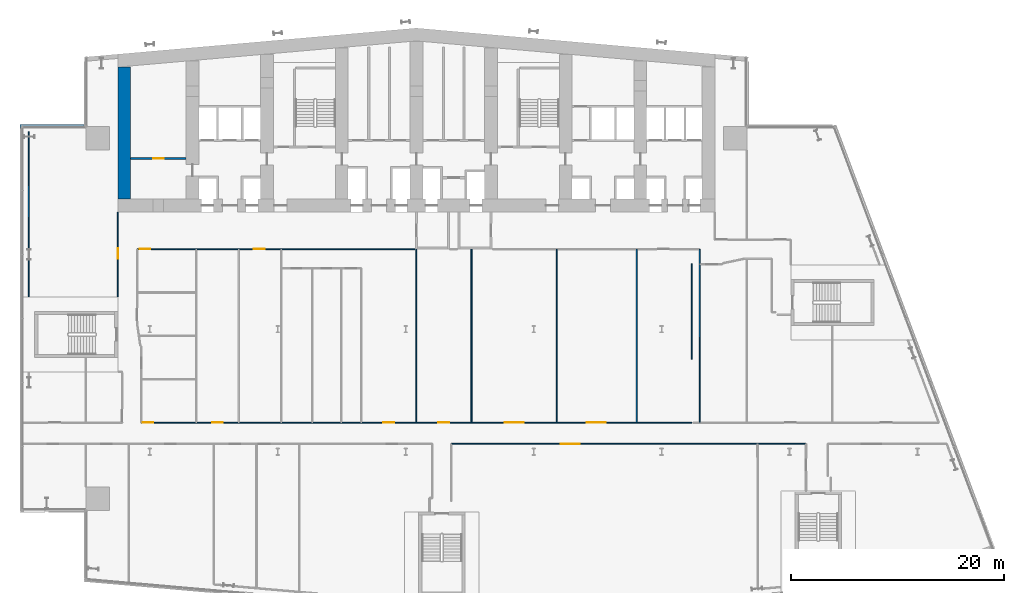
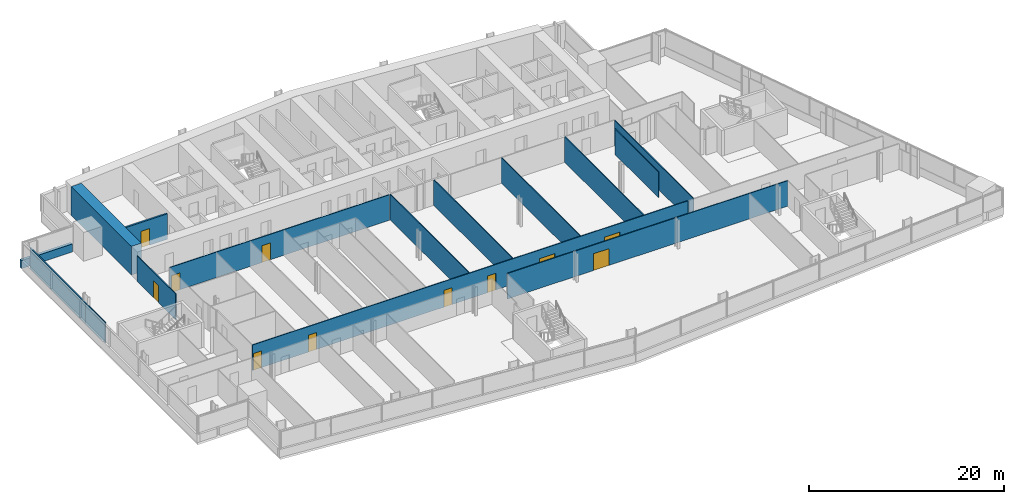
# One storey, part 14 of 24: 15 walls, 11 doors, 11 openings.
"""IFC4 building model written with IfcOpenShell, lengths in metres."""

from ifc_helpers import new_model, si_unit, direction, frame, frame_2d, origin, place, context, subcontext, project, spatial, rectangle, extrude, material, layer, layer_set, type_object, element, fill, save


model = new_model("IFC4")

# Units and contexts
model_context = context("Model", 3, precision=1e-05, world=origin(), true_north=direction((0.0, 1.0)))
body_context = subcontext(model_context, "Body", "Model", "MODEL_VIEW")
ifc_project = project(units=[si_unit("LENGTHUNIT", "METRE"), si_unit("AREAUNIT", "SQUARE_METRE"), si_unit("VOLUMEUNIT", "CUBIC_METRE"), si_unit("PLANEANGLEUNIT", "RADIAN"), si_unit("MASSUNIT", "GRAM", prefix="KILO")], contexts=[model_context])

# Site, building, storey
site_placement = place(None, origin())
site = spatial("IfcSite", under=ifc_project, at=site_placement, CompositionType="ELEMENT")
building_placement = place(site_placement, origin())
building = spatial("IfcBuilding", under=site, at=building_placement, Name="Wharfspan Tower", CompositionType="ELEMENT")
storey_placement = place(building_placement, frame((0.0, 0.0, 41.5)))
storey = spatial("IfcBuildingStorey", under=building, at=storey_placement, Name="L06", CompositionType="ELEMENT", Elevation=41.5)

# Wall, opening, door
ifc_material_1 = material(Name="Gypsum board on steel studs", Category="steel")
ifc_layer_1 = layer(ifc_material_1, 0.100098)
ifc_layer_set_1 = layer_set([ifc_layer_1], Name="Gypsum board on steel studs")
wall_type_1 = type_object("IfcWallType", Name="Compartment wall 100 EI 60", PredefinedType="PARTITIONING", material=ifc_layer_set_1)
wall_1_placement = place(storey_placement, frame((9.0, 26.02002, 0.0), z_axis=(0.0, 0.0, 1.0), x_axis=(0.0, 1.0, 0.0)))
wall_1 = element("IfcWall", 1, at=wall_1_placement, inside=storey, type_object=wall_type_1, Name="Partition L06.w008", PredefinedType="PARTITIONING", context=body_context, shape_type="SweptSolid", body=[
    extrude(rectangle(XDim=7.959961, YDim=0.100098, at=frame_2d((3.97998, 0.0))), origin(), (0.0, 0.0, 1.0), 3.199951),
])
opening_1_placement = place(wall_1_placement, frame((3.560059, 0.0, 0.0)))
opening_1 = element("IfcOpeningElement", 2, at=opening_1_placement, cuts=wall_1, Name="Opening A1-26", PredefinedType="OPENING", context=body_context, shape_type="SweptSolid", body=[
    extrude(rectangle(XDim=1.0, YDim=2.100098, at=frame_2d((0.5, 1.050049))), frame((0.0, 0.060059, 0.0), z_axis=(0.0, -1.0, 0.0), x_axis=(1.0, 0.0, 0.0)), (0.0, 0.0, 1.0), 0.120117),
])
ifc_material_2 = material(Name="Fire-rated timber door leaf in steel frame", Category="steel")
door_type_1 = type_object("IfcDoorType", Name="Door 1000 FD30S Right", OperationType="SINGLE_SWING_RIGHT", PredefinedType="DOOR", material=ifc_material_2)
door_1_placement = place(opening_1_placement, origin())
door_1 = element("IfcDoor", 3, at=door_1_placement, inside=storey, type_object=door_type_1, Name="Door A1-26", OperationType="SINGLE_SWING_RIGHT", OverallHeight=2.100098, OverallWidth=1.0, PredefinedType="DOOR", context=body_context, shape_type="SweptSolid", body=[
    extrude(rectangle(XDim=1.0, YDim=2.100098, at=frame_2d((0.5, 1.050049))), frame((0.0, 0.024902, 0.0), z_axis=(0.0, -1.0, 0.0), x_axis=(1.0, 0.0, 0.0)), (0.0, 0.0, 1.0), 0.050049),
])
fill(opening_1, door_1)

# Wall, openings, doors
wall_2_placement = place(storey_placement, frame((10.800049, 30.5, 0.0), z_axis=(0.0, 0.0, 1.0), x_axis=(1.0, 0.0, 0.0)))
wall_2 = element("IfcWall", 4, at=wall_2_placement, inside=storey, type_object=wall_type_1, Name="Partition L06.w014", PredefinedType="PARTITIONING", context=body_context, shape_type="SweptSolid", body=[
    extrude(rectangle(XDim=26.050049, YDim=0.100098, at=frame_2d((13.024902, 0.0))), origin(), (0.0, 0.0, 1.0), 3.199951),
])
opening_2_placement = place(wall_2_placement, frame((0.235107, 0.0, 0.0)))
opening_2 = element("IfcOpeningElement", 5, at=opening_2_placement, cuts=wall_2, Name="Opening A1-27", PredefinedType="OPENING", context=body_context, shape_type="SweptSolid", body=[
    extrude(rectangle(XDim=1.0, YDim=2.100098, at=frame_2d((0.5, 1.050049))), frame((0.0, 0.060059, 0.0), z_axis=(0.0, -1.0, 0.0), x_axis=(1.0, 0.0, 0.0)), (0.0, 0.0, 1.0), 0.120117),
])
opening_3_placement = place(wall_2_placement, frame((10.955078, 0.0, 0.0)))
opening_3 = element("IfcOpeningElement", 6, at=opening_3_placement, cuts=wall_2, Name="Opening A1-28", PredefinedType="OPENING", context=body_context, shape_type="SweptSolid", body=[
    extrude(rectangle(XDim=1.0, YDim=2.100098, at=frame_2d((0.5, 1.050049))), frame((0.0, 0.060059, 0.0), z_axis=(0.0, -1.0, 0.0), x_axis=(1.0, 0.0, 0.0)), (0.0, 0.0, 1.0), 0.120117),
])
door_type_2 = type_object("IfcDoorType", Name="Door 1000 FD30S Left", OperationType="SINGLE_SWING_LEFT", PredefinedType="DOOR", material=ifc_material_2)
door_2_placement = place(opening_2_placement, origin())
door_2 = element("IfcDoor", 7, at=door_2_placement, inside=storey, type_object=door_type_2, Name="Door A1-27", OperationType="SINGLE_SWING_LEFT", OverallHeight=2.100098, OverallWidth=1.0, PredefinedType="DOOR", context=body_context, shape_type="SweptSolid", body=[
    extrude(rectangle(XDim=1.0, YDim=2.100098, at=frame_2d((0.5, 1.050049))), frame((0.0, 0.024902, 0.0), z_axis=(0.0, -1.0, 0.0), x_axis=(1.0, 0.0, 0.0)), (0.0, 0.0, 1.0), 0.050049),
])
fill(opening_2, door_2)
door_3_placement = place(opening_3_placement, origin())
door_3 = element("IfcDoor", 8, at=door_3_placement, inside=storey, type_object=door_type_2, Name="Door A1-28", OperationType="SINGLE_SWING_LEFT", OverallHeight=2.100098, OverallWidth=1.0, PredefinedType="DOOR", context=body_context, shape_type="SweptSolid", body=[
    extrude(rectangle(XDim=1.0, YDim=2.100098, at=frame_2d((0.5, 1.050049))), frame((0.0, 0.024902, 0.0), z_axis=(0.0, -1.0, 0.0), x_axis=(1.0, 0.0, 0.0)), (0.0, 0.0, 1.0), 0.050049),
])
fill(opening_3, door_3)

wall_3_placement = place(storey_placement, frame((11.199951, 14.23999, 0.0), z_axis=(0.0, 0.0, 1.0), x_axis=(1.0, 0.0, 0.0)))
wall_3 = element("IfcWall", 9, at=wall_3_placement, inside=storey, type_object=wall_type_1, Name="Partition L06.w020", PredefinedType="PARTITIONING", context=body_context, shape_type="SweptSolid", body=[
    extrude(rectangle(XDim=51.63501, YDim=0.100098, at=frame_2d((25.817383, 0.0))), origin(), (0.0, 0.0, 1.0), 3.199951),
])
opening_4_placement = place(wall_3_placement, frame((0.11499, 0.0, 0.0)))
opening_4 = element("IfcOpeningElement", 10, at=opening_4_placement, cuts=wall_3, Name="Opening A1-11", PredefinedType="OPENING", context=body_context, shape_type="SweptSolid", body=[
    extrude(rectangle(XDim=1.0, YDim=2.100098, at=frame_2d((0.5, 1.050049))), frame((0.0, 0.060059, 0.0), z_axis=(0.0, -1.0, 0.0), x_axis=(1.0, 0.0, 0.0)), (0.0, 0.0, 1.0), 0.120117),
])
opening_5_placement = place(wall_3_placement, frame((6.63501, 0.0, 0.0)))
opening_5 = element("IfcOpeningElement", 11, at=opening_5_placement, cuts=wall_3, Name="Opening A1-12", PredefinedType="OPENING", context=body_context, shape_type="SweptSolid", body=[
    extrude(rectangle(XDim=1.0, YDim=2.100098, at=frame_2d((0.5, 1.050049))), frame((0.0, 0.060059, 0.0), z_axis=(0.0, -1.0, 0.0), x_axis=(1.0, 0.0, 0.0)), (0.0, 0.0, 1.0), 0.120117),
])
opening_6_placement = place(wall_3_placement, frame((22.699951, 0.0, 0.0)))
opening_6 = element("IfcOpeningElement", 12, at=opening_6_placement, cuts=wall_3, Name="Opening A1-13", PredefinedType="OPENING", context=body_context, shape_type="SweptSolid", body=[
    extrude(rectangle(XDim=1.0, YDim=2.100098, at=frame_2d((0.5, 1.050049))), frame((0.0, 0.060059, 0.0), z_axis=(0.0, -1.0, 0.0), x_axis=(1.0, 0.0, 0.0)), (0.0, 0.0, 1.0), 0.120117),
])
opening_7_placement = place(wall_3_placement, frame((27.86499, 0.0, 0.0)))
opening_7 = element("IfcOpeningElement", 13, at=opening_7_placement, cuts=wall_3, Name="Opening A1-14", PredefinedType="OPENING", context=body_context, shape_type="SweptSolid", body=[
    extrude(rectangle(XDim=1.0, YDim=2.100098, at=frame_2d((0.5, 1.050049))), frame((0.0, 0.060059, 0.0), z_axis=(0.0, -1.0, 0.0), x_axis=(1.0, 0.0, 0.0)), (0.0, 0.0, 1.0), 0.120117),
])
opening_8_placement = place(wall_3_placement, frame((34.064941, 0.0, 0.0)))
opening_8 = element("IfcOpeningElement", 14, at=opening_8_placement, cuts=wall_3, Name="Opening A1-15", PredefinedType="OPENING", context=body_context, shape_type="SweptSolid", body=[
    extrude(rectangle(XDim=1.800049, YDim=2.100098, at=frame_2d((0.899902, 1.050049))), frame((0.0, 0.060059, 0.0), z_axis=(0.0, -1.0, 0.0), x_axis=(1.0, 0.0, 0.0)), (0.0, 0.0, 1.0), 0.120117),
])
opening_9_placement = place(wall_3_placement, frame((41.764893, 0.0, 0.0)))
opening_9 = element("IfcOpeningElement", 15, at=opening_9_placement, cuts=wall_3, Name="Opening A1-16", PredefinedType="OPENING", context=body_context, shape_type="SweptSolid", body=[
    extrude(rectangle(XDim=1.800049, YDim=2.100098, at=frame_2d((0.899902, 1.050049))), frame((0.0, 0.060059, 0.0), z_axis=(0.0, -1.0, 0.0), x_axis=(1.0, 0.0, 0.0)), (0.0, 0.0, 1.0), 0.120117),
])
door_4_placement = place(opening_4_placement, origin())
door_4 = element("IfcDoor", 16, at=door_4_placement, inside=storey, type_object=door_type_2, Name="Door A1-11", OperationType="SINGLE_SWING_LEFT", OverallHeight=2.100098, OverallWidth=1.0, PredefinedType="DOOR", context=body_context, shape_type="SweptSolid", body=[
    extrude(rectangle(XDim=1.0, YDim=2.100098, at=frame_2d((0.5, 1.050049))), frame((0.0, 0.024902, 0.0), z_axis=(0.0, -1.0, 0.0), x_axis=(1.0, 0.0, 0.0)), (0.0, 0.0, 1.0), 0.050049),
])
fill(opening_4, door_4)
door_5_placement = place(opening_5_placement, origin())
door_5 = element("IfcDoor", 17, at=door_5_placement, inside=storey, type_object=door_type_2, Name="Door A1-12", OperationType="SINGLE_SWING_LEFT", OverallHeight=2.100098, OverallWidth=1.0, PredefinedType="DOOR", context=body_context, shape_type="SweptSolid", body=[
    extrude(rectangle(XDim=1.0, YDim=2.100098, at=frame_2d((0.5, 1.050049))), frame((0.0, 0.024902, 0.0), z_axis=(0.0, -1.0, 0.0), x_axis=(1.0, 0.0, 0.0)), (0.0, 0.0, 1.0), 0.050049),
])
fill(opening_5, door_5)
door_6_placement = place(opening_6_placement, origin())
door_6 = element("IfcDoor", 18, at=door_6_placement, inside=storey, type_object=door_type_2, Name="Door A1-13", OperationType="SINGLE_SWING_LEFT", OverallHeight=2.100098, OverallWidth=1.0, PredefinedType="DOOR", context=body_context, shape_type="SweptSolid", body=[
    extrude(rectangle(XDim=1.0, YDim=2.100098, at=frame_2d((0.5, 1.050049))), frame((0.0, 0.024902, 0.0), z_axis=(0.0, -1.0, 0.0), x_axis=(1.0, 0.0, 0.0)), (0.0, 0.0, 1.0), 0.050049),
])
fill(opening_6, door_6)
door_7_placement = place(opening_7_placement, origin())
door_7 = element("IfcDoor", 19, at=door_7_placement, inside=storey, type_object=door_type_1, Name="Door A1-14", OperationType="SINGLE_SWING_RIGHT", OverallHeight=2.100098, OverallWidth=1.0, PredefinedType="DOOR", context=body_context, shape_type="SweptSolid", body=[
    extrude(rectangle(XDim=1.0, YDim=2.100098, at=frame_2d((0.5, 1.050049))), frame((0.0, 0.024902, 0.0), z_axis=(0.0, -1.0, 0.0), x_axis=(1.0, 0.0, 0.0)), (0.0, 0.0, 1.0), 0.050049),
])
fill(opening_7, door_7)
door_type_3 = type_object("IfcDoorType", Name="Door 1800 FD30S Double", OperationType="DOUBLE_DOOR_SINGLE_SWING", PredefinedType="DOOR", material=ifc_material_2)
door_8_placement = place(opening_8_placement, origin())
door_8 = element("IfcDoor", 20, at=door_8_placement, inside=storey, type_object=door_type_3, Name="Door A1-15", OperationType="DOUBLE_DOOR_SINGLE_SWING", OverallHeight=2.100098, OverallWidth=1.800049, PredefinedType="DOOR", context=body_context, shape_type="SweptSolid", body=[
    extrude(rectangle(XDim=1.800049, YDim=2.100098, at=frame_2d((0.899902, 1.050049))), frame((0.0, 0.024902, 0.0), z_axis=(0.0, -1.0, 0.0), x_axis=(1.0, 0.0, 0.0)), (0.0, 0.0, 1.0), 0.050049),
])
fill(opening_8, door_8)
door_9_placement = place(opening_9_placement, origin())
door_9 = element("IfcDoor", 21, at=door_9_placement, inside=storey, type_object=door_type_3, Name="Door A1-16", OperationType="DOUBLE_DOOR_SINGLE_SWING", OverallHeight=2.100098, OverallWidth=1.800049, PredefinedType="DOOR", context=body_context, shape_type="SweptSolid", body=[
    extrude(rectangle(XDim=1.800049, YDim=2.100098, at=frame_2d((0.899902, 1.050049))), frame((0.0, 0.024902, 0.0), z_axis=(0.0, -1.0, 0.0), x_axis=(1.0, 0.0, 0.0)), (0.0, 0.0, 1.0), 0.050049),
])
fill(opening_9, door_9)

# Wall
wall_4_placement = place(storey_placement, frame((37.0, 14.23999, 0.0), z_axis=(0.0, 0.0, 1.0), x_axis=(0.0, 1.0, 0.0)))
element("IfcWall", 22, at=wall_4_placement, inside=storey, type_object=wall_type_1, Name="Partition L06.w035", PredefinedType="PARTITIONING", context=body_context, shape_type="SweptSolid", body=[
    extrude(rectangle(XDim=16.26001, YDim=0.100098, at=frame_2d((8.129883, 0.0))), origin(), (0.0, 0.0, 1.0), 3.199951),
])

# Wall, opening, door
wall_5_placement = place(storey_placement, frame((40.284912, 12.23999, 0.0), z_axis=(0.0, 0.0, 1.0), x_axis=(1.0, 0.0, 0.0)))
wall_5 = element("IfcWall", 23, at=wall_5_placement, inside=storey, type_object=wall_type_1, Name="Partition L06.w040", PredefinedType="PARTITIONING", context=body_context, shape_type="SweptSolid", body=[
    extrude(rectangle(XDim=33.255127, YDim=0.100098, at=frame_2d((16.627441, 0.0))), origin(), (0.0, 0.0, 1.0), 3.199951),
])
opening_10_placement = place(wall_5_placement, frame((10.235107, 0.0, 0.0)))
opening_10 = element("IfcOpeningElement", 24, at=opening_10_placement, cuts=wall_5, Name="Opening A1-08", PredefinedType="OPENING", context=body_context, shape_type="SweptSolid", body=[
    extrude(rectangle(XDim=1.800049, YDim=2.100098, at=frame_2d((0.899902, 1.050049))), frame((0.0, 0.060059, 0.0), z_axis=(0.0, -1.0, 0.0), x_axis=(1.0, 0.0, 0.0)), (0.0, 0.0, 1.0), 0.120117),
])
door_10_placement = place(opening_10_placement, origin())
door_10 = element("IfcDoor", 25, at=door_10_placement, inside=storey, type_object=door_type_3, Name="Door A1-08", OperationType="DOUBLE_DOOR_SINGLE_SWING", OverallHeight=2.100098, OverallWidth=1.800049, PredefinedType="DOOR", context=body_context, shape_type="SweptSolid", body=[
    extrude(rectangle(XDim=1.800049, YDim=2.100098, at=frame_2d((0.899902, 1.050049))), frame((0.0, 0.024902, 0.0), z_axis=(0.0, -1.0, 0.0), x_axis=(1.0, 0.0, 0.0)), (0.0, 0.0, 1.0), 0.050049),
])
fill(opening_10, door_10)

# Walls
for number, where, z_axis, x_axis, name in (
    (26, (42.169922, 14.23999, 0.0), (0.0, 0.0, 1.0), (0.0, 1.0, 0.0), "Partition L06.w041"),
    (27, (50.169922, 14.23999, 0.0), (0.0, 0.0, 1.0), (0.0, 1.0, 0.0), "Partition L06.w042"),
    (28, (57.669922, 14.23999, 0.0), (0.0, 0.0, 1.0), (0.0, 1.0, 0.0), "Partition L06.w043"),
):
    element("IfcWall", number, at=place(storey_placement, frame(where, z_axis=z_axis, x_axis=x_axis)), inside=storey, type_object=wall_type_1, Name=name, PredefinedType="PARTITIONING", context=body_context, shape_type="SweptSolid", body=[
        extrude(rectangle(XDim=16.26001, YDim=0.100098, at=frame_2d((8.129883, 0.0))), origin(), (0.0, 0.0, 1.0), 3.199951),
    ])
wall_6_placement = place(storey_placement, frame((63.570068, 14.245117, 0.0), z_axis=(0.0, 0.0, 1.0), x_axis=(0.000331, 1.000002, 0.0)))
element("IfcWall", 29, at=wall_6_placement, inside=storey, type_object=wall_type_1, Name="Partition L06.w048", PredefinedType="PARTITIONING", context=body_context, shape_type="SweptSolid", body=[
    extrude(rectangle(XDim=16.233398, YDim=0.100098, at=frame_2d((8.116699, 0.0))), origin(), (0.0, 0.0, 1.0), 3.199951),
])

# Wall, opening, door
ifc_material_3 = material(Name="Calcium silicate masonry", Category="masonry")
ifc_layer_2 = layer(ifc_material_3, 0.199951)
ifc_layer_set_2 = layer_set([ifc_layer_2], Name="Calcium silicate masonry")
wall_type_2 = type_object("IfcWallType", Name="Core room wall 200", PredefinedType="PARTITIONING", material=ifc_layer_set_2)
wall_7_placement = place(storey_placement, frame((10.199951, 39.0, 0.0), z_axis=(0.0, 0.0, 1.0), x_axis=(1.0, 0.0, 0.0)))
wall_7 = element("IfcWall", 30, at=wall_7_placement, inside=storey, type_object=wall_type_2, Name="sw:L06:RM0", PredefinedType="PARTITIONING", context=body_context, shape_type="SweptSolid", body=[
    extrude(rectangle(XDim=5.199951, YDim=0.199951, at=frame_2d((2.600098, 0.0))), origin(), (0.0, 0.0, 1.0), 3.199951),
])
opening_11_placement = place(wall_7_placement, frame((2.100098, 0.0, 0.0)))
opening_11 = element("IfcOpeningElement", 31, at=opening_11_placement, cuts=wall_7, Name="Opening CD06.02", PredefinedType="OPENING", context=body_context, shape_type="SweptSolid", body=[
    extrude(rectangle(XDim=1.0, YDim=2.100098, at=frame_2d((0.5, 1.050049))), frame((0.0, 0.109863, 0.0), z_axis=(0.0, -1.0, 0.0), x_axis=(1.0, 0.0, 0.0)), (0.0, 0.0, 1.0), 0.219971),
])
ifc_material_4 = material(Name="Steel door leaf", Category="steel")
door_type_4 = type_object("IfcDoorType", Name="Core room door 1000x2100", OperationType="SINGLE_SWING_LEFT", PredefinedType="DOOR", material=ifc_material_4)
door_11_placement = place(opening_11_placement, origin())
door_11 = element("IfcDoor", 32, at=door_11_placement, inside=storey, type_object=door_type_4, Name="d:L06:0:rr", OperationType="SINGLE_SWING_RIGHT", OverallHeight=2.100098, OverallWidth=1.0, PredefinedType="DOOR", context=body_context, shape_type="SweptSolid", body=[
    extrude(rectangle(XDim=1.0, YDim=2.100098, at=frame_2d((0.5, 1.050049))), frame((0.0, 0.024902, 0.0), z_axis=(0.0, -1.0, 0.0), x_axis=(1.0, 0.0, 0.0)), (0.0, 0.0, 1.0), 0.050049),
])
fill(opening_11, door_11)

# Walls
ifc_material_5 = material(Name="Concrete C70/85", Category="concrete")
ifc_layer_3 = layer(ifc_material_5, 1.199951)
ifc_layer_set_3 = layer_set([ifc_layer_3], Name="Concrete C70/85")
wall_type_3 = type_object("IfcWallType", Name="Core wall 1200 C70/85", PredefinedType="SHEAR", material=ifc_layer_set_3)
wall_8_placement = place(storey_placement, frame((9.600098, 35.199951, 0.0), z_axis=(0.0, 0.0, 1.0), x_axis=(0.0, 1.0, 0.0)))
element("IfcWall", 33, at=wall_8_placement, inside=storey, type_object=wall_type_3, Name="Core cross wall EW0 L06", PredefinedType="SHEAR", context=body_context, shape_type="SweptSolid", body=[
    extrude(rectangle(XDim=12.382812, YDim=1.199951, at=frame_2d((6.191406, 0.0))), origin(), (0.0, 0.0, 1.0), 3.600098),
])
ifc_layer_4 = layer(ifc_material_1, 0.100098)
ifc_layer_set_4 = layer_set([ifc_layer_4], Name="Gypsum board on steel studs")
wall_type_4 = type_object("IfcWallType", Name="Partition 100", PredefinedType="PARTITIONING", material=ifc_layer_set_4)
wall_9_placement = place(storey_placement, frame((0.629883, 26.02002, 0.0), z_axis=(0.0, 0.0, 1.0), x_axis=(0.0, 1.0, 0.0)))
element("IfcWall", 34, at=wall_9_placement, inside=storey, type_object=wall_type_4, Name="Partition L06.w004", PredefinedType="PARTITIONING", context=body_context, shape_type="SweptSolid", body=[
    extrude(rectangle(XDim=3.97998, YDim=0.100098, at=frame_2d((1.98999, 0.0))), origin(), (0.0, 0.0, 1.0), 2.580078),
])
wall_10_placement = place(storey_placement, frame((0.629883, 30.0, 0.0), z_axis=(0.0, 0.0, 1.0), x_axis=(0.00218, 0.999994, 0.0)))
element("IfcWall", 35, at=wall_10_placement, inside=storey, type_object=wall_type_4, Name="Partition L06.w005", PredefinedType="PARTITIONING", context=body_context, shape_type="SweptSolid", body=[
    extrude(rectangle(XDim=11.534912, YDim=0.100098, at=frame_2d((5.767578, 0.0))), origin(), (0.0, 0.0, 1.0), 2.580078),
])
wall_11_placement = place(storey_placement, frame((62.834961, 20.175049, 0.0), z_axis=(0.0, 0.0, 1.0), x_axis=(0.0, 1.0, 0.0)))
element("IfcWall", 36, at=wall_11_placement, inside=storey, type_object=wall_type_4, Name="Partition L06.w045", PredefinedType="PARTITIONING", context=body_context, shape_type="SweptSolid", body=[
    extrude(rectangle(XDim=8.935303, YDim=0.100098, at=frame_2d((4.467773, 0.0))), origin(), (0.0, 0.0, 1.0), 3.199951),
])
ifc_material_6 = material(Name="Concrete C40/50", Category="concrete")
ifc_layer_5 = layer(ifc_material_6, 0.350098)
ifc_layer_set_5 = layer_set([ifc_layer_5], Name="Concrete C40/50")
wall_type_5 = type_object("IfcWallType", Name="SPANDREL EXPOSED CONCRETE 350", PredefinedType="SOLIDWALL", material=ifc_layer_set_5)
wall_12_placement = place(storey_placement, frame((5.820068, 42.004883, 0.0), z_axis=(0.0, 0.0, 1.0), x_axis=(-1.0, 0.0, 0.0)))
element("IfcWall", 37, at=wall_12_placement, inside=storey, type_object=wall_type_5, Name="Spandrel upstand L06 NRW-H", PredefinedType="SOLIDWALL", context=body_context, shape_type="SweptSolid", body=[
    extrude(rectangle(XDim=6.0, YDim=0.350098, at=frame_2d((3.0, 0.0))), origin(), (0.0, 0.0, 1.0), 1.0),
])

save(model, "model.ifc")
